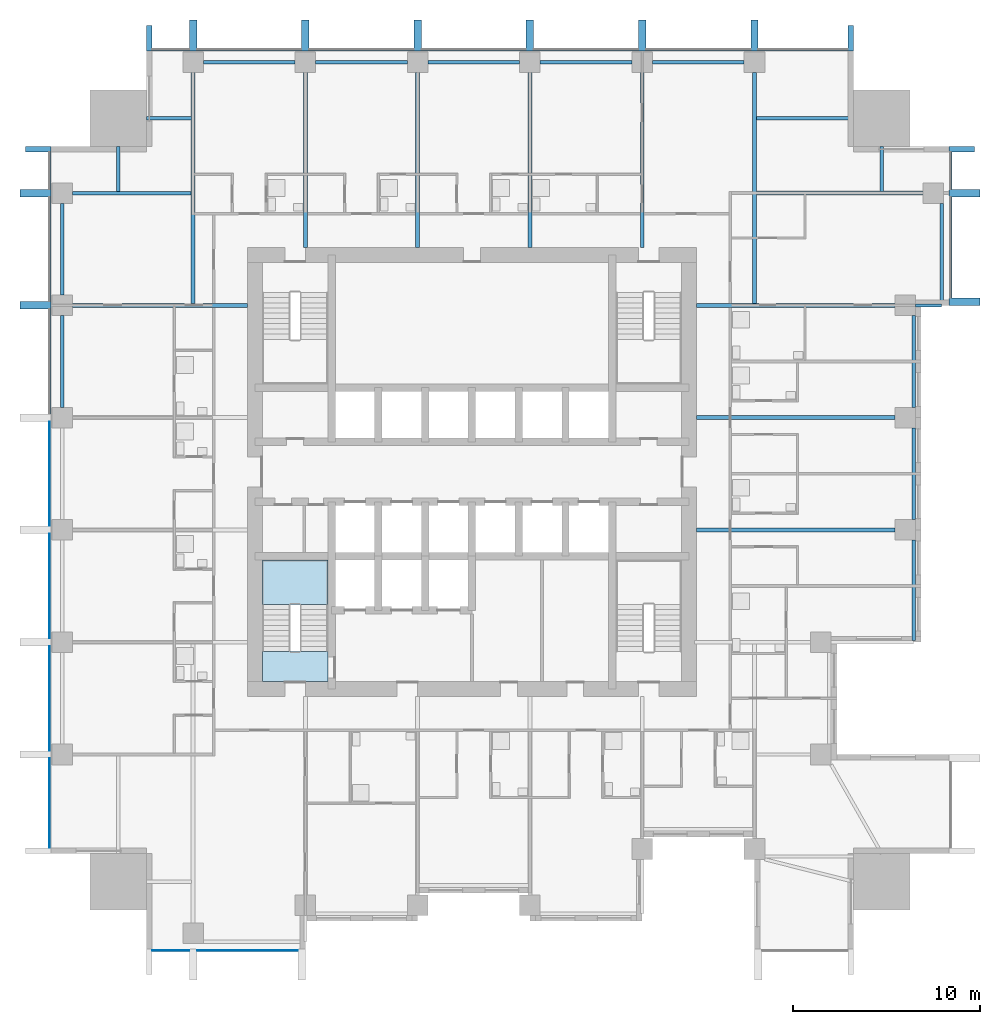
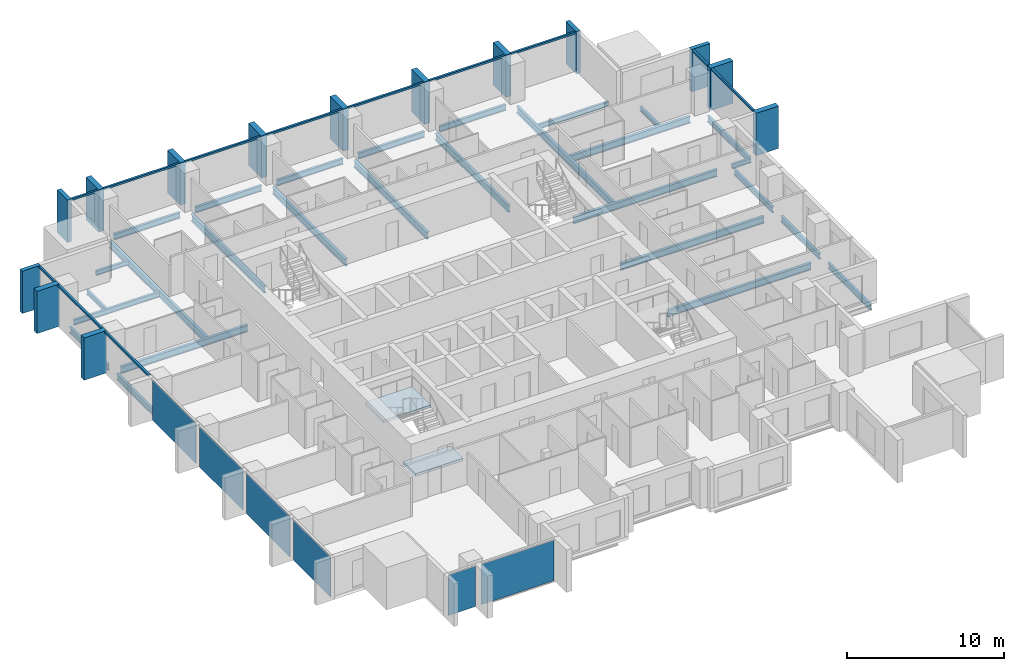
# One storey, part 2 of 11: 28 beams, 26 members, 6 plates, 2 slabs, 5 elements without a shape of their own.
"""IFC4 building model written with IfcOpenShell, lengths in metres."""

from ifc_helpers import new_model, si_unit, direction, frame, origin, origin_2d, place, context, subcontext, project, spatial, polyline, rectangle, i_section, outline, extrude, material, layer, layer_set, material_profile, profile_set, type_object, element, aggregate, save


model = new_model("IFC4")

# Units and contexts
model_context = context("Model", 3, precision=1e-05, world=origin(), true_north=direction((0.0, 1.0)))
body_context = subcontext(model_context, "Body", "Model", "MODEL_VIEW")
ifc_project = project(units=[si_unit("LENGTHUNIT", "METRE"), si_unit("AREAUNIT", "SQUARE_METRE"), si_unit("VOLUMEUNIT", "CUBIC_METRE"), si_unit("PLANEANGLEUNIT", "RADIAN"), si_unit("MASSUNIT", "GRAM", prefix="KILO")], contexts=[model_context])

# Site, building, storey
site_placement = place(None, origin())
site = spatial("IfcSite", under=ifc_project, at=site_placement, CompositionType="ELEMENT")
building_placement = place(site_placement, origin())
building = spatial("IfcBuilding", under=site, at=building_placement, Name="Amberfall Residences", CompositionType="ELEMENT")
storey_placement = place(building_placement, frame((0.0, 0.0, 91.89990234375)))
storey = spatial("IfcBuildingStorey", under=building, at=storey_placement, Name="L24", CompositionType="ELEMENT", Elevation=91.89990234375)

# Curtain wall, members
ifc_material_1 = material(Name="Bronze anodised aluminium and glass", Category="aluminium")
curtain_wall_type = type_object("IfcCurtainWallType", Name="Curtain wall CW1 tower unit", PredefinedType="USERDEFINED", material=ifc_material_1)
curtain_wall_1_placement = place(storey_placement, origin())
curtain_wall_1 = element("IfcCurtainWall", 1, at=curtain_wall_1_placement, inside=storey, type_object=curtain_wall_type, Name="Curtain wall L24 E E9", ObjectType="UNITISED CURTAIN WALL", PredefinedType="USERDEFINED")
ifc_material_2 = material(Name="Bronze anodised aluminium", Category="aluminium")
ifc_material_profile_1 = material_profile(ifc_material_2, rectangle(XDim=0.14990234375, YDim=0.14990234375, at=origin_2d()), Name="CW1 transom 150 x 150 bronze")
ifc_profile_set_1 = profile_set([ifc_material_profile_1], Name="Bronze anodised aluminium")
member_type_1 = type_object("IfcMemberType", Name="CW1 transom 150 x 150 bronze", PredefinedType="USERDEFINED", material=ifc_profile_set_1)
member_1_placement = place(storey_placement, frame((100.074951171875, 54.800048828125, 2.97509765625), z_axis=(0.0, 1.0, 0.0), x_axis=(-1.0, 0.0, 0.0)))
member_1 = element("IfcMember", 2, at=member_1_placement, type_object=member_type_1, Name="CW1 transom 1.1", ObjectType="TRANSOM", PredefinedType="USERDEFINED", context=body_context, shape_type="SweptSolid", body=[
    extrude(rectangle(XDim=0.14990234375, YDim=0.14990234375, at=origin_2d()), origin(), (0.0, 0.0, 1.0), 5.39990234375),
])
member_2_placement = place(storey_placement, frame((100.074951171875, 60.60009765625, 2.97509765625), z_axis=(0.0, 1.0, 0.0), x_axis=(-1.0, 0.0, 0.0)))
member_2 = element("IfcMember", 3, at=member_2_placement, type_object=member_type_1, Name="CW1 transom 2.1", ObjectType="TRANSOM", PredefinedType="USERDEFINED", context=body_context, shape_type="SweptSolid", body=[
    extrude(rectangle(XDim=0.14990234375, YDim=0.14990234375, at=origin_2d()), origin(), (0.0, 0.0, 1.0), 2.0),
])

curtain_wall_2_placement = place(storey_placement, origin())
curtain_wall_2 = element("IfcCurtainWall", 4, at=curtain_wall_2_placement, inside=storey, type_object=curtain_wall_type, Name="Curtain wall L24 N N1", ObjectType="UNITISED CURTAIN WALL", PredefinedType="USERDEFINED")
member_3_placement = place(storey_placement, frame((94.60009765625, 68.074951171875, 2.97509765625), z_axis=(-1.0, 0.0, 0.0), x_axis=(0.0, -1.0, 0.0)))
member_3 = element("IfcMember", 5, at=member_3_placement, type_object=member_type_1, Name="CW1 transom 1.1", ObjectType="TRANSOM", PredefinedType="USERDEFINED", context=body_context, shape_type="SweptSolid", body=[
    extrude(rectangle(XDim=0.14990234375, YDim=0.14990234375, at=origin_2d()), origin(), (0.0, 0.0, 1.0), 4.800048828125),
])
member_4_placement = place(storey_placement, frame((89.39990234375, 68.074951171875, 2.97509765625), z_axis=(-1.0, 0.0, 0.0), x_axis=(0.0, -1.0, 0.0)))
member_4 = element("IfcMember", 6, at=member_4_placement, type_object=member_type_1, Name="CW1 transom 2.1", ObjectType="TRANSOM", PredefinedType="USERDEFINED", context=body_context, shape_type="SweptSolid", body=[
    extrude(rectangle(XDim=0.14990234375, YDim=0.14990234375, at=origin_2d()), origin(), (0.0, 0.0, 1.0), 5.599853515625),
])
member_5_placement = place(storey_placement, frame((83.39990234375, 68.074951171875, 2.97509765625), z_axis=(-1.0, 0.0, 0.0), x_axis=(0.0, -1.0, 0.0)))
member_5 = element("IfcMember", 7, at=member_5_placement, type_object=member_type_1, Name="CW1 transom 3.1", ObjectType="TRANSOM", PredefinedType="USERDEFINED", context=body_context, shape_type="SweptSolid", body=[
    extrude(rectangle(XDim=0.14990234375, YDim=0.14990234375, at=origin_2d()), origin(), (0.0, 0.0, 1.0), 5.599853515625),
])
member_6_placement = place(storey_placement, frame((77.39990234375, 68.074951171875, 2.97509765625), z_axis=(-1.0, 0.0, 0.0), x_axis=(0.0, -1.0, 0.0)))
member_6 = element("IfcMember", 8, at=member_6_placement, type_object=member_type_1, Name="CW1 transom 4.1", ObjectType="TRANSOM", PredefinedType="USERDEFINED", context=body_context, shape_type="SweptSolid", body=[
    extrude(rectangle(XDim=0.14990234375, YDim=0.14990234375, at=origin_2d()), origin(), (0.0, 0.0, 1.0), 5.599853515625),
])
member_7_placement = place(storey_placement, frame((71.39990234375, 68.074951171875, 2.97509765625), z_axis=(-1.0, 0.0, 0.0), x_axis=(0.0, -1.0, 0.0)))
member_7 = element("IfcMember", 9, at=member_7_placement, type_object=member_type_1, Name="CW1 transom 5.1", ObjectType="TRANSOM", PredefinedType="USERDEFINED", context=body_context, shape_type="SweptSolid", body=[
    extrude(rectangle(XDim=0.14990234375, YDim=0.14990234375, at=origin_2d()), origin(), (0.0, 0.0, 1.0), 5.599853515625),
])
member_8_placement = place(storey_placement, frame((65.39990234375, 68.074951171875, 2.97509765625), z_axis=(-1.0, 0.0, 0.0), x_axis=(0.0, -1.0, 0.0)))
member_8 = element("IfcMember", 10, at=member_8_placement, type_object=member_type_1, Name="CW1 transom 6.1", ObjectType="TRANSOM", PredefinedType="USERDEFINED", context=body_context, shape_type="SweptSolid", body=[
    extrude(rectangle(XDim=0.14990234375, YDim=0.14990234375, at=origin_2d()), origin(), (0.0, 0.0, 1.0), 5.599853515625),
])
member_9_placement = place(storey_placement, frame((59.39990234375, 68.074951171875, 2.97509765625), z_axis=(-1.0, 0.0, 0.0), x_axis=(0.0, -1.0, 0.0)))
member_9 = element("IfcMember", 11, at=member_9_placement, type_object=member_type_1, Name="CW1 transom 7.1", ObjectType="TRANSOM", PredefinedType="USERDEFINED", context=body_context, shape_type="SweptSolid", body=[
    extrude(rectangle(XDim=0.14990234375, YDim=0.14990234375, at=origin_2d()), origin(), (0.0, 0.0, 1.0), 2.0),
])

curtain_wall_3_placement = place(storey_placement, origin())
curtain_wall_3 = element("IfcCurtainWall", 12, at=curtain_wall_3_placement, inside=storey, type_object=curtain_wall_type, Name="Curtain wall L24 W W1", ObjectType="UNITISED CURTAIN WALL", PredefinedType="USERDEFINED")
member_10_placement = place(storey_placement, frame((51.925048828125, 62.60009765625, 2.97509765625), z_axis=(0.0, -1.0, 0.0), x_axis=(1.0, 0.0, 0.0)))
member_10 = element("IfcMember", 13, at=member_10_placement, type_object=member_type_1, Name="CW1 transom 1.1", ObjectType="TRANSOM", PredefinedType="USERDEFINED", context=body_context, shape_type="SweptSolid", body=[
    extrude(rectangle(XDim=0.14990234375, YDim=0.14990234375, at=origin_2d()), origin(), (0.0, 0.0, 1.0), 2.0),
])
member_11_placement = place(storey_placement, frame((51.925048828125, 60.199951171875, 2.97509765625), z_axis=(0.0, -1.0, 0.0), x_axis=(1.0, 0.0, 0.0)))
member_11 = element("IfcMember", 14, at=member_11_placement, type_object=member_type_1, Name="CW1 transom 2.1", ObjectType="TRANSOM", PredefinedType="USERDEFINED", context=body_context, shape_type="SweptSolid", body=[
    extrude(rectangle(XDim=0.14990234375, YDim=0.14990234375, at=origin_2d()), origin(), (0.0, 0.0, 1.0), 5.599853515625),
])
member_12_placement = place(storey_placement, frame((51.925048828125, 54.199951171875, 2.97509765625), z_axis=(0.0, -1.0, 0.0), x_axis=(1.0, 0.0, 0.0)))
member_12 = element("IfcMember", 15, at=member_12_placement, type_object=member_type_1, Name="CW1 transom 3.1", ObjectType="TRANSOM", PredefinedType="USERDEFINED", context=body_context, shape_type="SweptSolid", body=[
    extrude(rectangle(XDim=0.14990234375, YDim=0.14990234375, at=origin_2d()), origin(), (0.0, 0.0, 1.0), 5.599853515625),
])

# Beam
ifc_material_3 = material(Name="Steel S355", Category="steel")
ifc_material_profile_2 = material_profile(ifc_material_3, i_section(OverallWidth=0.171142578125, OverallDepth=0.351318359375, WebThickness=0.007080078125, FlangeThickness=0.009765625, FilletRadius=0.01025390625, at=origin_2d()), Name="UB 356x171x45")
ifc_profile_set_2 = profile_set([ifc_material_profile_2], Name="Steel S355")
beam_type_1 = type_object("IfcBeamType", Name="Cantilever girder UB 356x171x45", PredefinedType="BEAM", material=ifc_profile_set_2)
beam_1_placement = place(storey_placement, frame((98.199951171875, 54.39990234375, -0.425537109375), z_axis=(1.0, 0.0, 0.0), x_axis=(0.0, 1.0, 0.0)))
element("IfcBeam", 16, at=beam_1_placement, inside=storey, type_object=beam_type_1, Name="Cantilever girder B8 L24 20", PredefinedType="BEAM", context=body_context, shape_type="SweptSolid", body=[
    extrude(i_section(OverallWidth=0.171142578125, OverallDepth=0.351318359375, WebThickness=0.007080078125, FlangeThickness=0.009765625, FilletRadius=0.01025390625, at=origin_2d()), origin(), (0.0, 0.0, 1.0), 1.400146484375),
])

# Member
ifc_material_profile_3 = material_profile(ifc_material_2, rectangle(XDim=1.35009765625, YDim=0.300048828125, at=origin_2d()), Name="Corner fin 300 x 1350 bronze")
ifc_profile_set_3 = profile_set([ifc_material_profile_3], Name="Bronze anodised aluminium")
member_type_2 = type_object("IfcMemberType", Name="Corner fin 300 x 1350 bronze", PredefinedType="MULLION", material=ifc_profile_set_3)
member_13_placement = place(storey_placement, frame((100.675048828125, 62.75, -0.25), z_axis=(0.0, 0.0, 1.0), x_axis=(-1.0, 0.0, 0.0)))
member_13 = element("IfcMember", 17, at=member_13_placement, type_object=member_type_2, Name="CW FIN 3", PredefinedType="MULLION", context=body_context, shape_type="SweptSolid", body=[
    extrude(rectangle(XDim=1.35009765625, YDim=0.300048828125, at=origin_2d()), origin(), (0.0, 0.0, 1.0), 3.300048828125),
])

member_14_placement = place(storey_placement, frame((94.75, 68.675048828125, -0.25), z_axis=(0.0, 0.0, 1.0), x_axis=(0.0, -1.0, 0.0)))
member_14 = element("IfcMember", 18, at=member_14_placement, type_object=member_type_2, Name="CW FIN 1", PredefinedType="MULLION", context=body_context, shape_type="SweptSolid", body=[
    extrude(rectangle(XDim=1.35009765625, YDim=0.300048828125, at=origin_2d()), origin(), (0.0, 0.0, 1.0), 3.300048828125),
])

member_15_placement = place(storey_placement, frame((57.25, 68.675048828125, -0.25), z_axis=(0.0, 0.0, 1.0), x_axis=(0.0, -1.0, 0.0)))
member_15 = element("IfcMember", 19, at=member_15_placement, type_object=member_type_2, Name="CW FIN 8", PredefinedType="MULLION", context=body_context, shape_type="SweptSolid", body=[
    extrude(rectangle(XDim=1.35009765625, YDim=0.300048828125, at=origin_2d()), origin(), (0.0, 0.0, 1.0), 3.300048828125),
])

member_16_placement = place(storey_placement, frame((51.324951171875, 62.75, -0.25), z_axis=(0.0, 0.0, 1.0), x_axis=(1.0, 0.0, 0.0)))
member_16 = element("IfcMember", 20, at=member_16_placement, type_object=member_type_2, Name="CW FIN 1", PredefinedType="MULLION", context=body_context, shape_type="SweptSolid", body=[
    extrude(rectangle(XDim=1.35009765625, YDim=0.300048828125, at=origin_2d()), origin(), (0.0, 0.0, 1.0), 3.300048828125),
])

# Beams
ifc_material_profile_4 = material_profile(ifc_material_3, i_section(OverallWidth=0.18994140625, OverallDepth=0.453369140625, WebThickness=0.008544921875, FlangeThickness=0.0126953125, FilletRadius=0.01025390625, at=origin_2d()), Name="UB 457x191x67")
ifc_profile_set_4 = profile_set([ifc_material_profile_4], Name="Steel S355")
beam_type_2 = type_object("IfcBeamType", Name="Edge beam UB 457x191x67", PredefinedType="SPANDREL", material=ifc_profile_set_4)
beam_2_placement = place(storey_placement, frame((98.10009765625, 36.47998046875, -0.4765625), z_axis=(0.0, 1.0, 0.0), x_axis=(-1.0, 0.0, 0.0)))
element("IfcBeam", 21, at=beam_2_placement, inside=storey, type_object=beam_type_2, Name="Edge beam B1 L24 15", PredefinedType="SPANDREL", context=body_context, shape_type="SweptSolid", body=[
    extrude(i_section(OverallWidth=0.18994140625, OverallDepth=0.453369140625, WebThickness=0.008544921875, FlangeThickness=0.0126953125, FilletRadius=0.01025390625, at=origin_2d()), origin(), (0.0, 0.0, 1.0), 5.3701171875),
])
for number, where, z_axis, x_axis, name in (
    (22, (98.10009765625, 42.949951171875, -0.4765625), (0.0, 1.0, 0.0), (-1.0, 0.0, 0.0), "Edge beam B1 L24 16"),
    (23, (98.10009765625, 48.949951171875, -0.4765625), (0.0, 1.0, 0.0), (-1.0, 0.0, 0.0), "Edge beam B1 L24 17"),
):
    element("IfcBeam", number, at=place(storey_placement, frame(where, z_axis=z_axis, x_axis=x_axis)), inside=storey, type_object=beam_type_2, Name=name, PredefinedType="SPANDREL", context=body_context, shape_type="SweptSolid", body=[
        extrude(i_section(OverallWidth=0.18994140625, OverallDepth=0.453369140625, WebThickness=0.008544921875, FlangeThickness=0.0126953125, FilletRadius=0.01025390625, at=origin_2d()), origin(), (0.0, 0.0, 1.0), 4.900146484375),
    ])
beam_3_placement = place(storey_placement, frame((99.60009765625, 54.47998046875, -0.4765625), z_axis=(0.0, 1.0, 0.0), x_axis=(-1.0, 0.0, 0.0)))
element("IfcBeam", 24, at=beam_3_placement, inside=storey, type_object=beam_type_2, Name="Edge beam B1 L24 18", PredefinedType="SPANDREL", context=body_context, shape_type="SweptSolid", body=[
    extrude(i_section(OverallWidth=0.18994140625, OverallDepth=0.453369140625, WebThickness=0.008544921875, FlangeThickness=0.0126953125, FilletRadius=0.01025390625, at=origin_2d()), origin(), (0.0, 0.0, 1.0), 5.3701171875),
])
for number, where, z_axis, x_axis, name in (
    (25, (60.14990234375, 67.39990234375, -0.4765625), (1.0, 0.0, 0.0), (0.0, 1.0, 0.0), "Edge beam B1 L24 27"),
    (26, (66.14990234375, 67.39990234375, -0.4765625), (1.0, 0.0, 0.0), (0.0, 1.0, 0.0), "Edge beam B1 L24 28"),
    (27, (72.14990234375, 67.39990234375, -0.4765625), (1.0, 0.0, 0.0), (0.0, 1.0, 0.0), "Edge beam B1 L24 29"),
    (28, (78.14990234375, 67.39990234375, -0.4765625), (1.0, 0.0, 0.0), (0.0, 1.0, 0.0), "Edge beam B1 L24 30"),
    (29, (84.14990234375, 67.39990234375, -0.4765625), (1.0, 0.0, 0.0), (0.0, 1.0, 0.0), "Edge beam B1 L24 31"),
    (30, (52.60009765625, 48.949951171875, -0.4765625), (0.0, 1.0, 0.0), (-1.0, 0.0, 0.0), "Edge beam B1 L24 41"),
    (31, (52.60009765625, 54.949951171875, -0.4765625), (0.0, 1.0, 0.0), (-1.0, 0.0, 0.0), "Edge beam B1 L24 42"),
):
    element("IfcBeam", number, at=place(storey_placement, frame(where, z_axis=z_axis, x_axis=x_axis)), inside=storey, type_object=beam_type_2, Name=name, PredefinedType="SPANDREL", context=body_context, shape_type="SweptSolid", body=[
        extrude(i_section(OverallWidth=0.18994140625, OverallDepth=0.453369140625, WebThickness=0.008544921875, FlangeThickness=0.0126953125, FilletRadius=0.01025390625, at=origin_2d()), origin(), (0.0, 0.0, 1.0), 4.900146484375),
    ])

# Member
ifc_material_profile_5 = material_profile(ifc_material_2, rectangle(XDim=1.64990234375, YDim=0.39990234375, at=origin_2d()), Name="Fin 400 x 1650 bronze")
ifc_profile_set_5 = profile_set([ifc_material_profile_5], Name="Bronze anodised aluminium")
member_type_3 = type_object("IfcMemberType", Name="Fin 400 x 1650 bronze", PredefinedType="MULLION", material=ifc_profile_set_5)
member_17_placement = place(storey_placement, frame((100.824951171875, 54.60009765625, -0.25), z_axis=(0.0, 0.0, 1.0), x_axis=(-1.0, 0.0, 0.0)))
member_17 = element("IfcMember", 32, at=member_17_placement, type_object=member_type_3, Name="CW FIN 1", PredefinedType="MULLION", context=body_context, shape_type="SweptSolid", body=[
    extrude(rectangle(XDim=1.64990234375, YDim=0.39990234375, at=origin_2d()), origin(), (0.0, 0.0, 1.0), 3.300048828125),
])

member_18_placement = place(storey_placement, frame((100.824951171875, 60.39990234375, -0.25), z_axis=(0.0, 0.0, 1.0), x_axis=(-1.0, 0.0, 0.0)))
member_18 = element("IfcMember", 33, at=member_18_placement, type_object=member_type_3, Name="CW FIN 2", PredefinedType="MULLION", context=body_context, shape_type="SweptSolid", body=[
    extrude(rectangle(XDim=1.64990234375, YDim=0.39990234375, at=origin_2d()), origin(), (0.0, 0.0, 1.0), 3.300048828125),
])

aggregate(curtain_wall_1, [member_17, member_18, member_13, member_1, member_2])

member_19_placement = place(storey_placement, frame((89.60009765625, 68.824951171875, -0.25), z_axis=(0.0, 0.0, 1.0), x_axis=(0.0, -1.0, 0.0)))
member_19 = element("IfcMember", 34, at=member_19_placement, type_object=member_type_3, Name="CW FIN 2", PredefinedType="MULLION", context=body_context, shape_type="SweptSolid", body=[
    extrude(rectangle(XDim=1.64990234375, YDim=0.39990234375, at=origin_2d()), origin(), (0.0, 0.0, 1.0), 3.300048828125),
])

member_20_placement = place(storey_placement, frame((83.60009765625, 68.824951171875, -0.25), z_axis=(0.0, 0.0, 1.0), x_axis=(0.0, -1.0, 0.0)))
member_20 = element("IfcMember", 35, at=member_20_placement, type_object=member_type_3, Name="CW FIN 3", PredefinedType="MULLION", context=body_context, shape_type="SweptSolid", body=[
    extrude(rectangle(XDim=1.64990234375, YDim=0.39990234375, at=origin_2d()), origin(), (0.0, 0.0, 1.0), 3.300048828125),
])

member_21_placement = place(storey_placement, frame((77.60009765625, 68.824951171875, -0.25), z_axis=(0.0, 0.0, 1.0), x_axis=(0.0, -1.0, 0.0)))
member_21 = element("IfcMember", 36, at=member_21_placement, type_object=member_type_3, Name="CW FIN 4", PredefinedType="MULLION", context=body_context, shape_type="SweptSolid", body=[
    extrude(rectangle(XDim=1.64990234375, YDim=0.39990234375, at=origin_2d()), origin(), (0.0, 0.0, 1.0), 3.300048828125),
])

member_22_placement = place(storey_placement, frame((71.60009765625, 68.824951171875, -0.25), z_axis=(0.0, 0.0, 1.0), x_axis=(0.0, -1.0, 0.0)))
member_22 = element("IfcMember", 37, at=member_22_placement, type_object=member_type_3, Name="CW FIN 5", PredefinedType="MULLION", context=body_context, shape_type="SweptSolid", body=[
    extrude(rectangle(XDim=1.64990234375, YDim=0.39990234375, at=origin_2d()), origin(), (0.0, 0.0, 1.0), 3.300048828125),
])

member_23_placement = place(storey_placement, frame((65.60009765625, 68.824951171875, -0.25), z_axis=(0.0, 0.0, 1.0), x_axis=(0.0, -1.0, 0.0)))
member_23 = element("IfcMember", 38, at=member_23_placement, type_object=member_type_3, Name="CW FIN 6", PredefinedType="MULLION", context=body_context, shape_type="SweptSolid", body=[
    extrude(rectangle(XDim=1.64990234375, YDim=0.39990234375, at=origin_2d()), origin(), (0.0, 0.0, 1.0), 3.300048828125),
])

member_24_placement = place(storey_placement, frame((59.60009765625, 68.824951171875, -0.25), z_axis=(0.0, 0.0, 1.0), x_axis=(0.0, -1.0, 0.0)))
member_24 = element("IfcMember", 39, at=member_24_placement, type_object=member_type_3, Name="CW FIN 7", PredefinedType="MULLION", context=body_context, shape_type="SweptSolid", body=[
    extrude(rectangle(XDim=1.64990234375, YDim=0.39990234375, at=origin_2d()), origin(), (0.0, 0.0, 1.0), 3.300048828125),
])

aggregate(curtain_wall_2, [member_14, member_19, member_20, member_21, member_22, member_23, member_24, member_15, member_3, member_4, member_5, member_6, member_7, member_8, member_9])

member_25_placement = place(storey_placement, frame((51.175048828125, 60.39990234375, -0.25), z_axis=(0.0, 0.0, 1.0), x_axis=(1.0, 0.0, 0.0)))
member_25 = element("IfcMember", 40, at=member_25_placement, type_object=member_type_3, Name="CW FIN 2", PredefinedType="MULLION", context=body_context, shape_type="SweptSolid", body=[
    extrude(rectangle(XDim=1.64990234375, YDim=0.39990234375, at=origin_2d()), origin(), (0.0, 0.0, 1.0), 3.300048828125),
])

member_26_placement = place(storey_placement, frame((51.175048828125, 54.39990234375, -0.25), z_axis=(0.0, 0.0, 1.0), x_axis=(1.0, 0.0, 0.0)))
member_26 = element("IfcMember", 41, at=member_26_placement, type_object=member_type_3, Name="CW FIN 3", PredefinedType="MULLION", context=body_context, shape_type="SweptSolid", body=[
    extrude(rectangle(XDim=1.64990234375, YDim=0.39990234375, at=origin_2d()), origin(), (0.0, 0.0, 1.0), 3.300048828125),
])

# Beams
ifc_material_profile_6 = material_profile(ifc_material_3, i_section(OverallWidth=0.177734375, OverallDepth=0.402587890625, WebThickness=0.0078125, FlangeThickness=0.010986328125, FilletRadius=0.01025390625, at=origin_2d()), Name="UB 406x178x54")
ifc_profile_set_6 = profile_set([ifc_material_profile_6], Name="Steel S355")
beam_type_3 = type_object("IfcBeamType", Name="Floor girder UB 406x178x54", PredefinedType="BEAM", material=ifc_profile_set_6)
beam_4_placement = place(storey_placement, frame((53.14990234375, 60.39990234375, -0.451171875), z_axis=(1.0, 0.0, 0.0), x_axis=(0.0, 1.0, 0.0)))
element("IfcBeam", 42, at=beam_4_placement, inside=storey, type_object=beam_type_3, Name="Floor girder B4 L24 48", PredefinedType="BEAM", context=body_context, shape_type="SweptSolid", body=[
    extrude(i_section(OverallWidth=0.177734375, OverallDepth=0.402587890625, WebThickness=0.0078125, FlangeThickness=0.010986328125, FilletRadius=0.01025390625, at=origin_2d()), origin(), (0.0, 0.0, 1.0), 6.330078125),
])
ifc_material_profile_7 = material_profile(ifc_material_3, i_section(OverallWidth=0.210693359375, OverallDepth=0.53955078125, WebThickness=0.01171875, FlangeThickness=0.018798828125, FilletRadius=0.0126953125, at=origin_2d()), Name="UB 533x210x109")
ifc_profile_set_7 = profile_set([ifc_material_profile_7], Name="Steel S355")
beam_type_4 = type_object("IfcBeamType", Name="Floor girder UB 533x210x109", PredefinedType="BEAM", material=ifc_profile_set_7)
for number, where, z_axis, x_axis, name in (
    (43, (59.60009765625, 66.85009765625, -0.51953125), (0.0, -1.0, 0.0), (1.0, 0.0, 0.0), "Floor girder B2 L24 32"),
    (44, (89.60009765625, 66.85009765625, -0.51953125), (0.0, -1.0, 0.0), (1.0, 0.0, 0.0), "Floor girder B2 L24 37"),
):
    element("IfcBeam", number, at=place(storey_placement, frame(where, z_axis=z_axis, x_axis=x_axis)), inside=storey, type_object=beam_type_4, Name=name, PredefinedType="BEAM", context=body_context, shape_type="SweptSolid", body=[
        extrude(i_section(OverallWidth=0.210693359375, OverallDepth=0.53955078125, WebThickness=0.01171875, FlangeThickness=0.018798828125, FilletRadius=0.0126953125, at=origin_2d()), origin(), (0.0, 0.0, 1.0), 12.3505859375),
    ])
ifc_material_profile_8 = material_profile(ifc_material_3, i_section(OverallWidth=0.209228515625, OverallDepth=0.533203125, WebThickness=0.010009765625, FlangeThickness=0.015625, FilletRadius=0.0126953125, at=origin_2d()), Name="UB 533x210x92")
ifc_profile_set_8 = profile_set([ifc_material_profile_8], Name="Steel S355")
beam_type_5 = type_object("IfcBeamType", Name="Floor girder UB 533x210x92", PredefinedType="BEAM", material=ifc_profile_set_8)
for number, where, z_axis, x_axis, name in (
    (45, (97.10009765625, 42.39990234375, -0.516357421875), (-1.0, 0.0, 0.0), (0.0, -1.0, 0.0), "Floor girder B3 L24 23"),
    (46, (97.10009765625, 48.39990234375, -0.516357421875), (-1.0, 0.0, 0.0), (0.0, -1.0, 0.0), "Floor girder B3 L24 24"),
    (47, (97.10009765625, 54.39990234375, -0.516357421875), (-1.0, 0.0, 0.0), (0.0, -1.0, 0.0), "Floor girder B3 L24 25"),
):
    element("IfcBeam", number, at=place(storey_placement, frame(where, z_axis=z_axis, x_axis=x_axis)), inside=storey, type_object=beam_type_5, Name=name, PredefinedType="BEAM", context=body_context, shape_type="SweptSolid", body=[
        extrude(i_section(OverallWidth=0.209228515625, OverallDepth=0.533203125, WebThickness=0.010009765625, FlangeThickness=0.015625, FilletRadius=0.0126953125, at=origin_2d()), origin(), (0.0, 0.0, 1.0), 10.60009765625),
    ])
beam_5_placement = place(storey_placement, frame((98.60009765625, 60.39990234375, -0.516357421875), z_axis=(-1.0, 0.0, 0.0), x_axis=(0.0, -1.0, 0.0)))
element("IfcBeam", 48, at=beam_5_placement, inside=storey, type_object=beam_type_5, Name="Floor girder B3 L24 26", PredefinedType="BEAM", context=body_context, shape_type="SweptSolid", body=[
    extrude(i_section(OverallWidth=0.209228515625, OverallDepth=0.533203125, WebThickness=0.010009765625, FlangeThickness=0.015625, FilletRadius=0.0126953125, at=origin_2d()), origin(), (0.0, 0.0, 1.0), 8.880126953125),
])
for number, where, z_axis, x_axis, name in (
    (49, (65.60009765625, 66.85009765625, -0.516357421875), (0.0, -1.0, 0.0), (1.0, 0.0, 0.0), "Floor girder B3 L24 33"),
    (50, (71.60009765625, 66.85009765625, -0.516357421875), (0.0, -1.0, 0.0), (1.0, 0.0, 0.0), "Floor girder B3 L24 34"),
    (51, (77.60009765625, 66.85009765625, -0.516357421875), (0.0, -1.0, 0.0), (1.0, 0.0, 0.0), "Floor girder B3 L24 35"),
    (52, (83.60009765625, 66.85009765625, -0.516357421875), (0.0, -1.0, 0.0), (1.0, 0.0, 0.0), "Floor girder B3 L24 36"),
    (53, (53.14990234375, 54.39990234375, -0.516357421875), (1.0, 0.0, 0.0), (0.0, 1.0, 0.0), "Floor girder B3 L24 47"),
):
    element("IfcBeam", number, at=place(storey_placement, frame(where, z_axis=z_axis, x_axis=x_axis)), inside=storey, type_object=beam_type_5, Name=name, PredefinedType="BEAM", context=body_context, shape_type="SweptSolid", body=[
        extrude(i_section(OverallWidth=0.209228515625, OverallDepth=0.533203125, WebThickness=0.010009765625, FlangeThickness=0.015625, FilletRadius=0.0126953125, at=origin_2d()), origin(), (0.0, 0.0, 1.0), 9.35009765625),
    ])
ifc_material_profile_9 = material_profile(ifc_material_3, i_section(OverallWidth=0.171142578125, OverallDepth=0.351318359375, WebThickness=0.007080078125, FlangeThickness=0.009765625, FilletRadius=0.01025390625, at=origin_2d()), Name="UB 356x171x45")
ifc_profile_set_9 = profile_set([ifc_material_profile_9], Name="Steel S355")
beam_type_6 = type_object("IfcBeamType", Name="Link beam UB 356x171x45", PredefinedType="BEAM", material=ifc_profile_set_9)
beam_6_placement = place(storey_placement, frame((94.89990234375, 64.39990234375, -0.425537109375), z_axis=(-1.0, 0.0, 0.0), x_axis=(0.0, -1.0, 0.0)))
element("IfcBeam", 54, at=beam_6_placement, inside=storey, type_object=beam_type_6, Name="Link beam B7 L24 54", PredefinedType="BEAM", context=body_context, shape_type="SweptSolid", body=[
    extrude(i_section(OverallWidth=0.171142578125, OverallDepth=0.351318359375, WebThickness=0.007080078125, FlangeThickness=0.009765625, FilletRadius=0.01025390625, at=origin_2d()), origin(), (0.0, 0.0, 1.0), 5.20458984375),
])
beam_7_placement = place(storey_placement, frame((96.39990234375, 62.89990234375, -0.425537109375), z_axis=(0.0, -1.0, 0.0), x_axis=(1.0, 0.0, 0.0)))
element("IfcBeam", 55, at=beam_7_placement, inside=storey, type_object=beam_type_6, Name="Link beam B7 L24 55", PredefinedType="BEAM", context=body_context, shape_type="SweptSolid", body=[
    extrude(i_section(OverallWidth=0.171142578125, OverallDepth=0.351318359375, WebThickness=0.007080078125, FlangeThickness=0.009765625, FilletRadius=0.01025390625, at=origin_2d()), origin(), (0.0, 0.0, 1.0), 2.4052734375),
])
beam_8_placement = place(storey_placement, frame((57.10009765625, 64.39990234375, -0.425537109375), z_axis=(1.0, 0.0, 0.0), x_axis=(0.0, 1.0, 0.0)))
element("IfcBeam", 56, at=beam_8_placement, inside=storey, type_object=beam_type_6, Name="Link beam B7 L24 56", PredefinedType="BEAM", context=body_context, shape_type="SweptSolid", body=[
    extrude(i_section(OverallWidth=0.171142578125, OverallDepth=0.351318359375, WebThickness=0.007080078125, FlangeThickness=0.009765625, FilletRadius=0.01025390625, at=origin_2d()), origin(), (0.0, 0.0, 1.0), 2.404541015625),
])
beam_9_placement = place(storey_placement, frame((55.60009765625, 62.89990234375, -0.425537109375), z_axis=(0.0, -1.0, 0.0), x_axis=(1.0, 0.0, 0.0)))
element("IfcBeam", 57, at=beam_9_placement, inside=storey, type_object=beam_type_6, Name="Link beam B7 L24 57", PredefinedType="BEAM", context=body_context, shape_type="SweptSolid", body=[
    extrude(i_section(OverallWidth=0.171142578125, OverallDepth=0.351318359375, WebThickness=0.007080078125, FlangeThickness=0.009765625, FilletRadius=0.01025390625, at=origin_2d()), origin(), (0.0, 0.0, 1.0), 2.4208984375),
])

# Curtain wall, plates
curtain_wall_4_placement = place(storey_placement, origin())
curtain_wall_4 = element("IfcCurtainWall", 58, at=curtain_wall_4_placement, inside=storey, type_object=curtain_wall_type, Name="Curtain wall L24 S S1", ObjectType="UNITISED CURTAIN WALL", PredefinedType="USERDEFINED")
ifc_material_4 = material(Name="Tinted double glazed unit", Category="glass")
ifc_layer_1 = layer(ifc_material_4, 0.035888671875)
ifc_layer_set_1 = layer_set([ifc_layer_1], Name="CW1 panel 36 glazing")
plate_type = type_object("IfcPlateType", Name="CW1 panel 36 glazing", PredefinedType="CURTAIN_PANEL", material=ifc_layer_set_1)
plate_1_placement = place(storey_placement, frame((58.39990234375, 19.925048828125, -0.249755859375), z_axis=(0.0, 0.0, 1.0), x_axis=(1.0, 0.0, 0.0)))
plate_1 = element("IfcPlate", 59, at=plate_1_placement, type_object=plate_type, Name="CW1 panel 1.1", PredefinedType="CURTAIN_PANEL", context=body_context, shape_type="SweptSolid", body=[
    extrude(rectangle(XDim=1.97607421875, YDim=0.035888671875, at=origin_2d()), origin(), (0.0, 0.0, 1.0), 3.14990234375),
])
plate_2_placement = place(storey_placement, frame((62.5, 19.925048828125, -0.249755859375), z_axis=(0.0, 0.0, 1.0), x_axis=(1.0, 0.0, 0.0)))
plate_2 = element("IfcPlate", 60, at=plate_2_placement, type_object=plate_type, Name="CW1 panel 2.1", PredefinedType="CURTAIN_PANEL", context=body_context, shape_type="SweptSolid", body=[
    extrude(rectangle(XDim=5.3759765625, YDim=0.035888671875, at=origin_2d()), origin(), (0.0, 0.0, 1.0), 3.14990234375),
])
aggregate(curtain_wall_4, [plate_1, plate_2])

# Plate
plate_3_placement = place(storey_placement, frame((51.925048828125, 45.39990234375, -0.249755859375), z_axis=(0.0, 0.0, 1.0), x_axis=(0.0, -1.0, 0.0)))
plate_3 = element("IfcPlate", 61, at=plate_3_placement, type_object=plate_type, Name="CW1 panel 4.1", PredefinedType="CURTAIN_PANEL", context=body_context, shape_type="SweptSolid", body=[
    extrude(rectangle(XDim=5.575927734375, YDim=0.035888671875, at=origin_2d()), origin(), (0.0, 0.0, 1.0), 3.14990234375),
])

plate_4_placement = place(storey_placement, frame((51.925048828125, 39.39990234375, -0.249755859375), z_axis=(0.0, 0.0, 1.0), x_axis=(0.0, -1.0, 0.0)))
plate_4 = element("IfcPlate", 62, at=plate_4_placement, type_object=plate_type, Name="CW1 panel 5.1", PredefinedType="CURTAIN_PANEL", context=body_context, shape_type="SweptSolid", body=[
    extrude(rectangle(XDim=5.575927734375, YDim=0.035888671875, at=origin_2d()), origin(), (0.0, 0.0, 1.0), 3.14990234375),
])

plate_5_placement = place(storey_placement, frame((51.925048828125, 33.39990234375, -0.249755859375), z_axis=(0.0, 0.0, 1.0), x_axis=(0.0, -1.0, 0.0)))
plate_5 = element("IfcPlate", 63, at=plate_5_placement, type_object=plate_type, Name="CW1 panel 6.1", PredefinedType="CURTAIN_PANEL", context=body_context, shape_type="SweptSolid", body=[
    extrude(rectangle(XDim=5.575927734375, YDim=0.035888671875, at=origin_2d()), origin(), (0.0, 0.0, 1.0), 3.14990234375),
])

plate_6_placement = place(storey_placement, frame((51.925048828125, 27.800048828125, -0.249755859375), z_axis=(0.0, 0.0, 1.0), x_axis=(0.0, -1.0, 0.0)))
plate_6 = element("IfcPlate", 64, at=plate_6_placement, type_object=plate_type, Name="CW1 panel 7.1", PredefinedType="CURTAIN_PANEL", context=body_context, shape_type="SweptSolid", body=[
    extrude(rectangle(XDim=4.77587890625, YDim=0.035888671875, at=origin_2d()), origin(), (0.0, 0.0, 1.0), 3.14990234375),
])

aggregate(curtain_wall_3, [member_16, member_25, member_26, member_10, member_11, member_12, plate_3, plate_4, plate_5, plate_6])

# Stair, slabs
ifc_material_5 = material(Name="Concrete C40", Category="concrete")
stair_type = type_object("IfcStairType", Name="Exit stair 20 risers 165.0 mm", PredefinedType="HALF_TURN_STAIR", material=ifc_material_5)
stair_placement = place(storey_placement, origin())
stair = element("IfcStair", 65, at=stair_placement, inside=storey, type_object=stair_type, Name="L24 Exit stair 1", PredefinedType="HALF_TURN_STAIR")
ifc_layer_2 = layer(ifc_material_5, 0.199951171875)
ifc_layer_set_2 = layer_set([ifc_layer_2], Name="Stair landing 200")
slab_type = type_object("IfcSlabType", Name="Stair landing 200", PredefinedType="LANDING", material=ifc_layer_set_2)
slab_1_placement = place(storey_placement, frame((0.0, 0.0, 1.4501953125)))
slab_1 = element("IfcSlab", 66, at=slab_1_placement, type_object=slab_type, Name="ST3 landing 1", PredefinedType="LANDING", context=body_context, shape_type="SweptSolid", body=[
    extrude(outline(polyline([(66.800048828125, 38.419921875), (66.800048828125, 40.800048828125), (63.300048828125, 40.800048828125), (63.300048828125, 38.419921875), (66.800048828125, 38.419921875)])), origin(), (0.0, 0.0, 1.0), 0.199951171875),
])
slab_2_placement = place(storey_placement, frame((0.0, 0.0, -0.199951171875)))
slab_2 = element("IfcSlab", 67, at=slab_2_placement, type_object=slab_type, Name="ST3 landing 2", PredefinedType="LANDING", context=body_context, shape_type="SweptSolid", body=[
    extrude(outline(polyline([(66.800048828125, 34.300048828125), (66.800048828125, 35.89990234375), (63.300048828125, 35.89990234375), (63.300048828125, 34.300048828125), (66.800048828125, 34.300048828125)])), origin(), (0.0, 0.0, 1.0), 0.199951171875),
])
aggregate(stair, [slab_1, slab_2])

save(model, "model.ifc")
